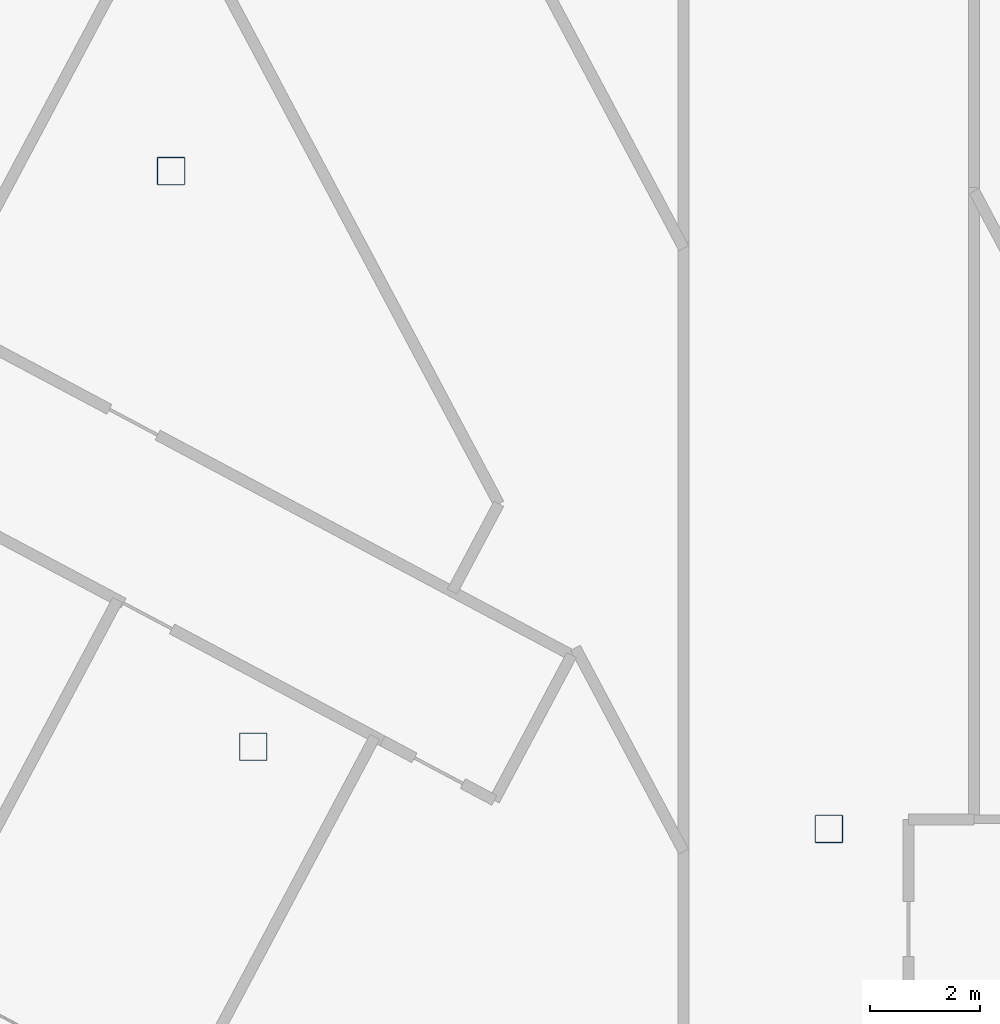
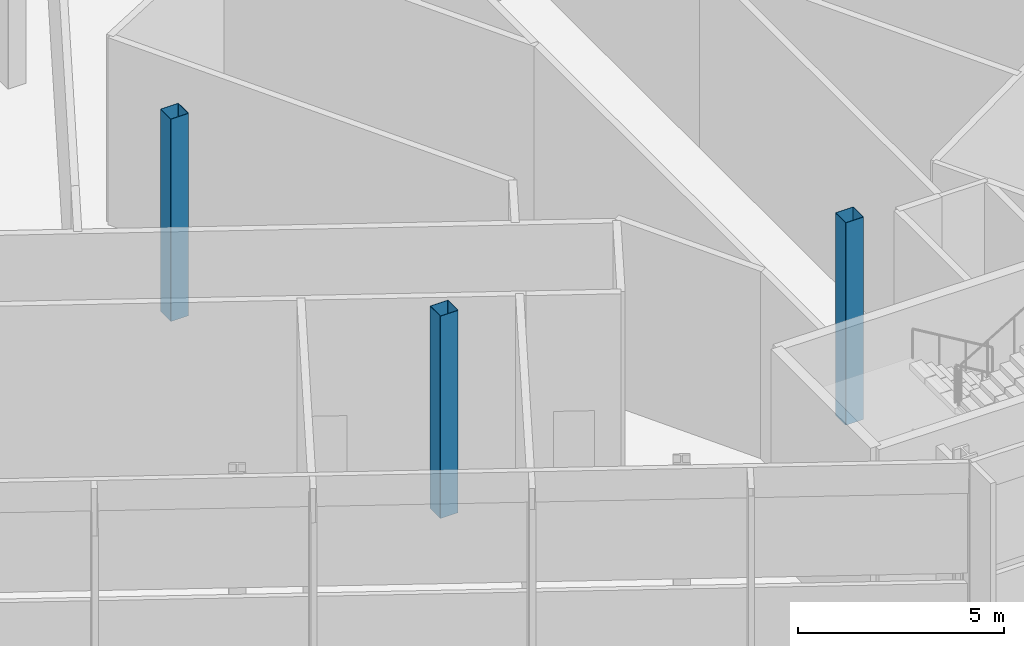
# One storey, part 2 of 33: 3 columns.
"""IFC4 building model written with IfcOpenShell, lengths in metres."""

import ifcopenshell
import ifcopenshell.guid

model = None  # the IFC model being written
_history = None  # IfcOwnerHistory: only IFC2X3 demands one
_inside = {}  # id of a spatial element -> (the spatial element, [elements in it])
_under = {}  # id of a project, library or spatial element -> (it, [spatial elements below it])
_declared = {}  # id of a project -> (the project, [libraries it declares])
_typed = {}  # id of a type object -> (the type object, [elements of that type])
_made_of = {}  # id of a material, layer set ... -> (it, [elements and type objects made of it])


def new_model(schema):
    """Start an empty IFC model of exactly this schema.

    Asked for "IFC4X3", IfcOpenShell would pick the latest addendum, in which some entities
    have other attributes; the version numbers below select the first issue.
    IFC2X3 requires an IfcOwnerHistory on every rooted entity: one is made here for all.
    """
    global model, _history
    if schema == "IFC4X3":
        model = ifcopenshell.file(schema_version=(4, 3, 0, 0))
    else:
        model = ifcopenshell.file(schema=schema)
    _inside.clear()
    _under.clear()
    _declared.clear()
    _typed.clear()
    _made_of.clear()
    _history = None
    if model.schema == "IFC2X3":
        org = make("IfcOrganization", Name="unknown")
        user = make(
            "IfcPersonAndOrganization",
            ThePerson=make("IfcPerson", FamilyName="unknown"),
            TheOrganization=org,
        )
        app = make(
            "IfcApplication",
            ApplicationDeveloper=org,
            Version="unknown",
            ApplicationFullName="unknown",
            ApplicationIdentifier="unknown",
        )
        _history = make(
            "IfcOwnerHistory",
            OwningUser=user,
            OwningApplication=app,
            ChangeAction="ADDED",
            CreationDate=0,
        )
    return model


def make(cls, **values):
    """One entity of the class cls with the attributes given. An attribute that is None is left unset."""
    return model.create_entity(
        cls, **{name: value for name, value in values.items() if value is not None}
    )


def rooted(cls, **values):
    """An entity with a GlobalId (a new one), such as an element, a storey or a relation."""
    return make(cls, GlobalId=ifcopenshell.guid.new(), OwnerHistory=_history, **values)


def si_unit(unit_type, name, prefix=None):
    """IfcSIUnit, for example si_unit("LENGTHUNIT", "METRE", prefix="MILLI")."""
    return make("IfcSIUnit", UnitType=unit_type, Prefix=prefix, Name=name)


def assignment(units):
    """IfcUnitAssignment: the units of a project."""
    return None if units is None else make("IfcUnitAssignment", Units=units)


def point(xyz):
    """IfcCartesianPoint."""
    return None if xyz is None else make("IfcCartesianPoint", Coordinates=xyz)


def direction(xyz):
    """IfcDirection."""
    return None if xyz is None else make("IfcDirection", DirectionRatios=xyz)


def frame(location, z_axis=None, x_axis=None):
    """IfcAxis2Placement3D, a coordinate frame: its origin and axes. An axis left out is left unset."""
    return make(
        "IfcAxis2Placement3D",
        Location=point(location),
        Axis=direction(z_axis),
        RefDirection=direction(x_axis),
    )


def frame_2d(location, x_axis=None):
    """IfcAxis2Placement2D, a coordinate frame in the plane: its origin and x axis."""
    return make(
        "IfcAxis2Placement2D", Location=point(location), RefDirection=direction(x_axis)
    )


def origin():
    """The frame at (0, 0, 0) with its axes left unset."""
    return frame((0.0, 0.0, 0.0))


def origin_2d():
    """The frame at (0, 0) in the plane with its x axis left unset."""
    return frame_2d((0.0, 0.0))


def place(relative_to, where):
    """IfcLocalPlacement: puts the frame where relative to a parent placement (None: the world)."""
    return make(
        "IfcLocalPlacement", PlacementRelTo=relative_to, RelativePlacement=where
    )


def context(
    kind, dimensions, precision=None, world=None, true_north=None, identifier=None
):
    """IfcGeometricRepresentationContext, for example the 3D "Model" context."""
    return make(
        "IfcGeometricRepresentationContext",
        ContextIdentifier=identifier,
        ContextType=kind,
        CoordinateSpaceDimension=dimensions,
        Precision=precision,
        WorldCoordinateSystem=world,
        TrueNorth=true_north,
    )


def subcontext(parent, identifier, kind, view, scale=None):
    """IfcGeometricRepresentationSubContext, for example "Body" below "Model"."""
    return make(
        "IfcGeometricRepresentationSubContext",
        ContextIdentifier=identifier,
        ContextType=kind,
        ParentContext=parent,
        TargetScale=scale,
        TargetView=view,
    )


def project(units=None, contexts=None):
    """IfcProject with its units and contexts."""
    return rooted(
        "IfcProject",
        Name="project",
        RepresentationContexts=contexts,
        UnitsInContext=assignment(units),
    )


def spatial(cls, under=None, at=None, **own):
    """A site, building, storey or space (cls), placed at a placement, below another one or the project."""
    s = rooted(cls, ObjectPlacement=at, **own)
    if under is not None:
        _under.setdefault(under.id(), (under, []))[1].append(s)
    return s


def profile(cls, at=None, kind="AREA", **sizes):
    """A parametric profile (cls). Its sizes go by their IFC names, for example OverallWidth=200.0."""
    return make(cls, ProfileType=kind, Position=at, **sizes)


def hollow_rectangle(**sizes):
    """IfcRectangleHollowProfileDef."""
    return profile("IfcRectangleHollowProfileDef", **sizes)


def extrude(swept, where, along, depth):
    """IfcExtrudedAreaSolid: the profile swept, set in the frame where, extruded along a direction by depth."""
    return make(
        "IfcExtrudedAreaSolid",
        SweptArea=swept,
        Position=where,
        ExtrudedDirection=direction(along),
        Depth=depth,
    )


def shape(context_of_items, identifier, shape_type, items):
    """IfcShapeRepresentation: the items that make up one representation, for example the "Body"."""
    return make(
        "IfcShapeRepresentation",
        ContextOfItems=context_of_items,
        RepresentationIdentifier=identifier,
        RepresentationType=shape_type,
        Items=items,
    )


def material(Name=None, Category=None):
    """IfcMaterial."""
    return make("IfcMaterial", Name=Name, Category=Category)


def material_profile(
    of_material, cross_section, Name=None, Category=None, Priority=None
):
    """IfcMaterialProfile: a cross section and its material."""
    return make(
        "IfcMaterialProfile",
        Name=Name,
        Material=of_material,
        Profile=cross_section,
        Priority=Priority,
        Category=Category,
    )


def profile_set(profiles, Name=None, composite=None):
    """IfcMaterialProfileSet."""
    return make(
        "IfcMaterialProfileSet",
        Name=Name,
        MaterialProfiles=profiles,
        CompositeProfile=composite,
    )


def made_of(thing, what):
    """Note that an element or type object is made of a material, layer set ...; save() writes the relation."""
    if what is not None:
        _made_of.setdefault(what.id(), (what, []))[1].append(thing)
    return thing


def type_object(cls, material=None, **own):
    """A type object (cls), such as IfcWallType, which elements share."""
    return made_of(rooted(cls, **own), material)


def element(
    cls,
    number,
    at=None,
    inside=None,
    cuts=None,
    type_object=None,
    material=None,
    context=None,
    identifier="Body",
    shape_type=None,
    held_by="IfcProductDefinitionShape",
    body=None,
    shapes=None,
    **own,
):
    """One element of the class cls, such as IfcWall. Its Tag is "e" and its number.

    at: its placement. inside: the storey or other place that contains it. cuts: it is an
    opening in that element (IfcRelVoidsElement). A single representation is given by context,
    identifier, shape_type and body (its items); several are given by shapes. held_by: the class
    of the entity that holds the representations. save() writes the other relations.
    """
    e = rooted(cls, Tag="e%d" % number, ObjectPlacement=at, **own)
    if body is not None:
        shapes = [shape(context, identifier, shape_type, body)]
    if shapes is not None:
        e.Representation = make(held_by, Representations=shapes)
    if inside is not None:
        _inside.setdefault(inside.id(), (inside, []))[1].append(e)
    if cuts is not None:
        rooted(
            "IfcRelVoidsElement", RelatingBuildingElement=cuts, RelatedOpeningElement=e
        )
    if type_object is not None:
        _typed.setdefault(type_object.id(), (type_object, []))[1].append(e)
    return made_of(e, material)


def aggregate(whole, parts):
    """IfcRelAggregates: a whole, such as a stair, and the parts it consists of."""
    return rooted("IfcRelAggregates", RelatingObject=whole, RelatedObjects=parts)


def save(model, path):
    """Write the relations noted so far, then the file.

    IfcRelAggregates (storeys below a building ...), IfcRelContainedInSpatialStructure (elements
    in a storey), IfcRelDefinesByType, IfcRelAssociatesMaterial and IfcRelDeclares: one each for
    every whole, place, type object, material and project.
    """
    for whole, parts in _under.values():
        aggregate(whole, parts)
    for where, things in _inside.values():
        rooted(
            "IfcRelContainedInSpatialStructure",
            RelatedElements=things,
            RelatingStructure=where,
        )
    for kind, things in _typed.values():
        rooted("IfcRelDefinesByType", RelatedObjects=things, RelatingType=kind)
    for what, things in _made_of.values():
        rooted("IfcRelAssociatesMaterial", RelatedObjects=things, RelatingMaterial=what)
    for by, libraries in _declared.values():
        rooted("IfcRelDeclares", RelatingContext=by, RelatedDefinitions=libraries)
    model.write(path)


model = new_model("IFC4")

# Units and contexts
model_context = context("Model", 3, precision=1e-05, world=origin(), true_north=direction((0.0, 1.0)))
body_context = subcontext(model_context, "Body", "Model", "MODEL_VIEW")
ifc_project = project(units=[si_unit("LENGTHUNIT", "METRE"), si_unit("AREAUNIT", "SQUARE_METRE"), si_unit("VOLUMEUNIT", "CUBIC_METRE"), si_unit("PLANEANGLEUNIT", "RADIAN"), si_unit("MASSUNIT", "GRAM", prefix="KILO")], contexts=[model_context])

# Site, building, storey
site_placement = place(None, origin())
site = spatial("IfcSite", under=ifc_project, at=site_placement, CompositionType="ELEMENT")
building_placement = place(site_placement, origin())
building = spatial("IfcBuilding", under=site, at=building_placement, Name="Cormorant Relay Tower", CompositionType="ELEMENT")
storey_placement = place(building_placement, frame((0.0, 0.0, 183.60009765625)))
storey = spatial("IfcBuildingStorey", under=building, at=storey_placement, Name="L39", CompositionType="ELEMENT", Elevation=183.60009765625)

# Columns
ifc_material = material(Name="Steel ASTM A500 Grade C (Fy 345 MPa)", Category="steel")
ifc_material_profile = material_profile(ifc_material, hollow_rectangle(XDim=0.508056640625, YDim=0.508056640625, WallThickness=0.01171875, InnerFilletRadius=0.005859375, OuterFilletRadius=0.017822265625, at=origin_2d()), Name="HSS508x508x12")
ifc_profile_set = profile_set([ifc_material_profile], Name="Steel ASTM A500 Grade C (Fy 345 MPa)")
column_type = type_object("IfcColumnType", Name="Column HSS508x508x12", PredefinedType="COLUMN", material=ifc_profile_set)
for number, where, z_axis, x_axis, name in (
    (1, (0.0, -12.0, 0.0), (0.0, 0.0, 1.0), (1.0, 0.0, 0.0), "Column L39-007"),
    (2, (-10.5, -10.5, 0.0), (0.0, 0.0, 1.0), (1.0, 0.0, 0.0), "Column L39-009"),
    (3, (-12.0, 0.0, 0.0), (0.0, 0.0, 1.0), (1.0, 0.0, 0.0), "Column L39-015"),
):
    element("IfcColumn", number, at=place(storey_placement, frame(where, z_axis=z_axis, x_axis=x_axis)), inside=storey, type_object=column_type, Name=name, PredefinedType="COLUMN", context=body_context, shape_type="SweptSolid", body=[
        extrude(hollow_rectangle(XDim=0.508056640625, YDim=0.508056640625, WallThickness=0.01171875, InnerFilletRadius=0.005859375, OuterFilletRadius=0.017822265625, at=origin_2d()), origin(), (0.0, 0.0, 1.0), 6.0),
    ])

save(model, "model.ifc")
